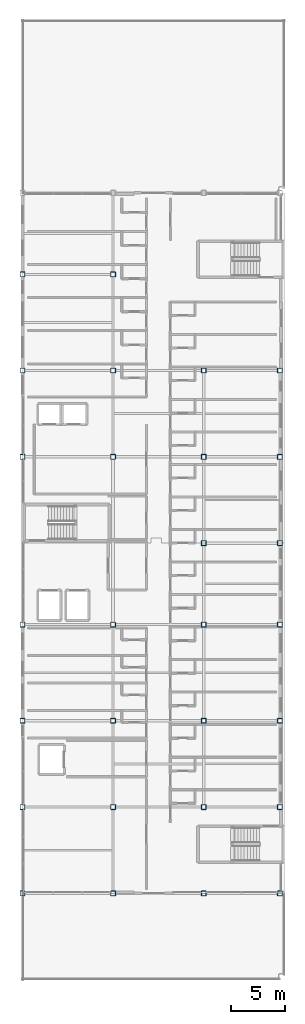
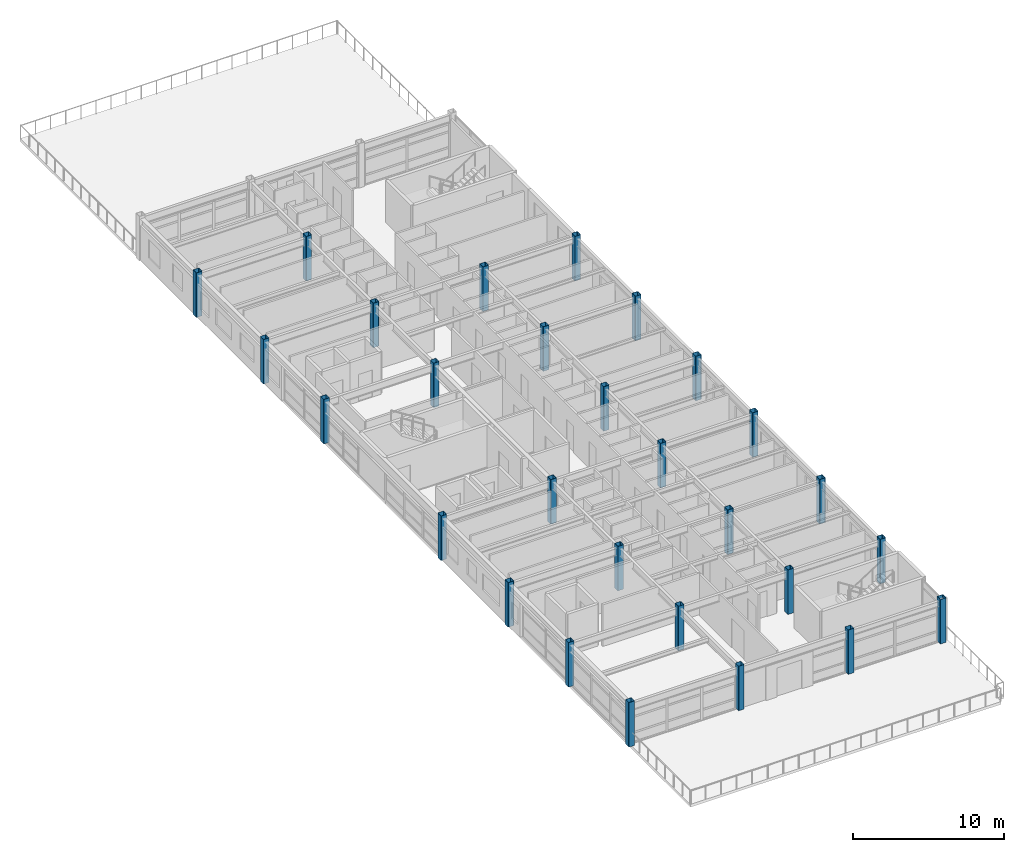
# One storey, part 1 of 28: 28 columns.
"""IFC4 building model written with IfcOpenShell, lengths in metres."""

from ifc_helpers import new_model, si_unit, direction, frame, origin, origin_2d, place, context, subcontext, project, spatial, hollow_rectangle, extrude, material, material_profile, profile_set, type_object, element, save


model = new_model("IFC4")

# Units and contexts
model_context = context("Model", 3, precision=1e-05, world=origin(), true_north=direction((0.0, 1.0)))
body_context = subcontext(model_context, "Body", "Model", "MODEL_VIEW")
ifc_project = project(units=[si_unit("LENGTHUNIT", "METRE"), si_unit("AREAUNIT", "SQUARE_METRE"), si_unit("VOLUMEUNIT", "CUBIC_METRE"), si_unit("PLANEANGLEUNIT", "RADIAN"), si_unit("MASSUNIT", "GRAM", prefix="KILO")], contexts=[model_context])

# Site, building, storey
site_placement = place(None, origin())
site = spatial("IfcSite", under=ifc_project, at=site_placement, CompositionType="ELEMENT")
building_placement = place(site_placement, origin())
building = spatial("IfcBuilding", under=site, at=building_placement, Name="Kazehara Bluff Congress Hotel", CompositionType="ELEMENT")
storey_placement = place(building_placement, frame((0.0, 0.0, 42.60009765625)))
storey = spatial("IfcBuildingStorey", under=building, at=storey_placement, Name="L10", CompositionType="ELEMENT", Elevation=42.60009765625)

# Columns
ifc_material = material(Name="Steel BCR295", Category="steel")
ifc_material_profile = material_profile(ifc_material, hollow_rectangle(XDim=0.449951171875, YDim=0.449951171875, WallThickness=0.01904296875, InnerFilletRadius=0.01904296875, OuterFilletRadius=0.0380859375, at=origin_2d()))
ifc_profile_set = profile_set([ifc_material_profile], Name="Steel BCR295")
column_type = type_object("IfcColumnType", Name="TP-C-08", PredefinedType="COLUMN", material=ifc_profile_set)
for number, where, z_axis, x_axis, name in (
    (1, (143.699951171875, 16.0, 0.0), (0.0, 0.0, 1.0), (1.0, 0.0, 0.0), "L10 column C-08 (143.70,16.00)"),
    (2, (143.699951171875, 24.0, 0.0), (0.0, 0.0, 1.0), (1.0, 0.0, 0.0), "L10 column C-08 (143.70,24.00)"),
    (3, (143.699951171875, 32.0, 0.0), (0.0, 0.0, 1.0), (1.0, 0.0, 0.0), "L10 column C-08 (143.70,32.00)"),
    (4, (143.699951171875, 40.89990234375, 0.0), (0.0, 0.0, 1.0), (1.0, 0.0, 0.0), "L10 column C-08 (143.70,40.90)"),
    (5, (143.699951171875, 56.449951171875, 0.0), (0.0, 0.0, 1.0), (1.0, 0.0, 0.0), "L10 column C-08 (143.70,56.45)"),
    (6, (143.699951171875, 64.449951171875, 0.0), (0.0, 0.0, 1.0), (1.0, 0.0, 0.0), "L10 column C-08 (143.70,64.45)"),
    (7, (143.699951171875, 73.35009765625, 0.0), (0.0, 0.0, 1.0), (1.0, 0.0, 0.0), "L10 column C-08 (143.70,73.35)"),
    (8, (152.10009765625, 16.0, 0.0), (0.0, 0.0, 1.0), (1.0, 0.0, 0.0), "L10 column C-08 (152.10,16.00)"),
    (9, (152.10009765625, 24.0, 0.0), (0.0, 0.0, 1.0), (1.0, 0.0, 0.0), "L10 column C-08 (152.10,24.00)"),
    (10, (152.10009765625, 32.0, 0.0), (0.0, 0.0, 1.0), (1.0, 0.0, 0.0), "L10 column C-08 (152.10,32.00)"),
    (11, (152.10009765625, 40.89990234375, 0.0), (0.0, 0.0, 1.0), (1.0, 0.0, 0.0), "L10 column C-08 (152.10,40.90)"),
    (12, (152.10009765625, 56.449951171875, 0.0), (0.0, 0.0, 1.0), (1.0, 0.0, 0.0), "L10 column C-08 (152.10,56.45)"),
    (13, (152.10009765625, 64.449951171875, 0.0), (0.0, 0.0, 1.0), (1.0, 0.0, 0.0), "L10 column C-08 (152.10,64.45)"),
    (14, (152.10009765625, 73.35009765625, 0.0), (0.0, 0.0, 1.0), (1.0, 0.0, 0.0), "L10 column C-08 (152.10,73.35)"),
    (15, (160.5, 16.0, 0.0), (0.0, 0.0, 1.0), (1.0, 0.0, 0.0), "L10 column C-08 (160.50,16.00)"),
    (16, (160.5, 24.0, 0.0), (0.0, 0.0, 1.0), (1.0, 0.0, 0.0), "L10 column C-08 (160.50,24.00)"),
    (17, (160.5, 32.0, 0.0), (0.0, 0.0, 1.0), (1.0, 0.0, 0.0), "L10 column C-08 (160.50,32.00)"),
    (18, (160.5, 40.89990234375, 0.0), (0.0, 0.0, 1.0), (1.0, 0.0, 0.0), "L10 column C-08 (160.50,40.90)"),
    (19, (160.5, 48.449951171875, 0.0), (0.0, 0.0, 1.0), (1.0, 0.0, 0.0), "L10 column C-08 (160.50,48.45)"),
    (20, (160.5, 56.449951171875, 0.0), (0.0, 0.0, 1.0), (1.0, 0.0, 0.0), "L10 column C-08 (160.50,56.45)"),
    (21, (160.5, 64.449951171875, 0.0), (0.0, 0.0, 1.0), (1.0, 0.0, 0.0), "L10 column C-08 (160.50,64.45)"),
    (22, (167.550048828125, 16.0, 0.0), (0.0, 0.0, 1.0), (1.0, 0.0, 0.0), "L10 column C-08 (167.55,16.00)"),
    (23, (167.550048828125, 24.0, 0.0), (0.0, 0.0, 1.0), (1.0, 0.0, 0.0), "L10 column C-08 (167.55,24.00)"),
    (24, (167.550048828125, 32.0, 0.0), (0.0, 0.0, 1.0), (1.0, 0.0, 0.0), "L10 column C-08 (167.55,32.00)"),
    (25, (167.550048828125, 40.89990234375, 0.0), (0.0, 0.0, 1.0), (1.0, 0.0, 0.0), "L10 column C-08 (167.55,40.90)"),
    (26, (167.550048828125, 48.449951171875, 0.0), (0.0, 0.0, 1.0), (1.0, 0.0, 0.0), "L10 column C-08 (167.55,48.45)"),
    (27, (167.550048828125, 56.449951171875, 0.0), (0.0, 0.0, 1.0), (1.0, 0.0, 0.0), "L10 column C-08 (167.55,56.45)"),
    (28, (167.550048828125, 64.449951171875, 0.0), (0.0, 0.0, 1.0), (1.0, 0.0, 0.0), "L10 column C-08 (167.55,64.45)"),
):
    element("IfcColumn", number, at=place(storey_placement, frame(where, z_axis=z_axis, x_axis=x_axis)), inside=storey, type_object=column_type, Name=name, PredefinedType="COLUMN", context=body_context, shape_type="SweptSolid", body=[
        extrude(hollow_rectangle(XDim=0.449951171875, YDim=0.449951171875, WallThickness=0.01904296875, InnerFilletRadius=0.01904296875, OuterFilletRadius=0.0380859375, at=origin_2d()), origin(), (0.0, 0.0, 1.0), 3.599853515625),
    ])

save(model, "model.ifc")
